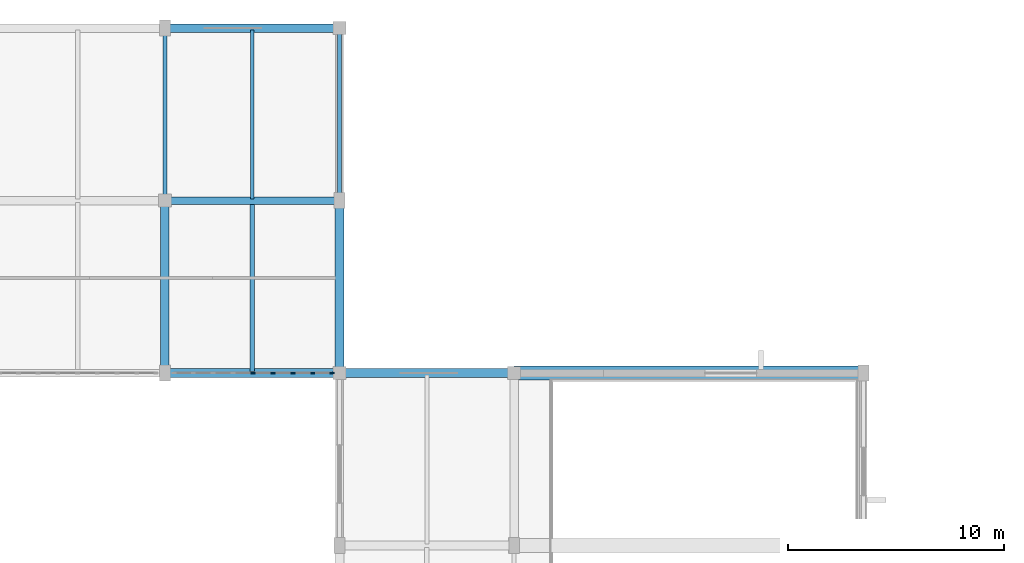
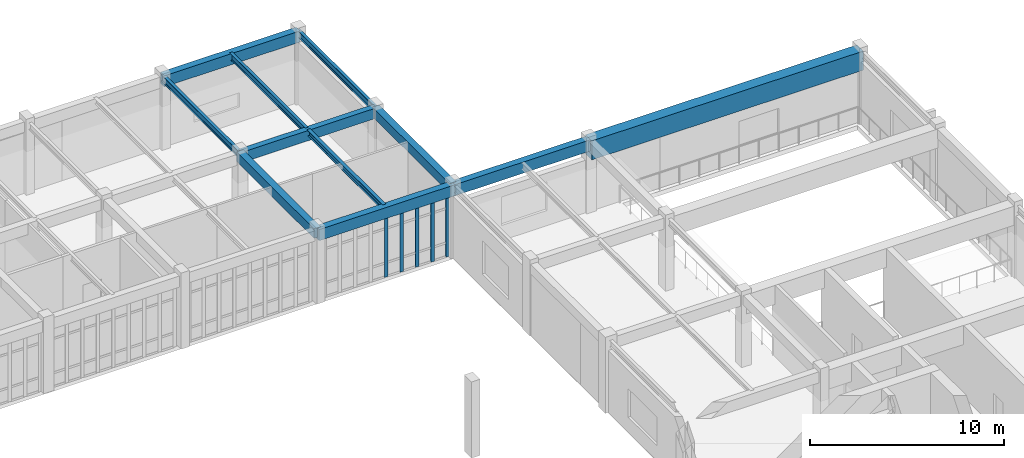
# One storey, part 17 of 61: 11 beams, 5 members, 1 element without a shape of its own.
"""IFC4 building model written with IfcOpenShell, lengths in metres."""

from ifc_helpers import new_model, si_unit, direction, frame, origin, origin_2d, place, context, subcontext, project, spatial, rectangle, i_section, extrude, material, material_profile, profile_set, type_object, element, aggregate, save


model = new_model("IFC4")

# Units and contexts
model_context = context("Model", 3, precision=1e-05, world=origin(), true_north=direction((0.0, 1.0)))
body_context = subcontext(model_context, "Body", "Model", "MODEL_VIEW")
ifc_project = project(units=[si_unit("LENGTHUNIT", "METRE"), si_unit("AREAUNIT", "SQUARE_METRE"), si_unit("VOLUMEUNIT", "CUBIC_METRE"), si_unit("PLANEANGLEUNIT", "RADIAN"), si_unit("MASSUNIT", "GRAM", prefix="KILO")], contexts=[model_context])

# Site, building, storey
site_placement = place(None, origin())
site = spatial("IfcSite", under=ifc_project, at=site_placement, CompositionType="ELEMENT")
building_placement = place(site_placement, origin())
building = spatial("IfcBuilding", under=site, at=building_placement, Name="Tarnveldt Square Police Headquarters", CompositionType="ELEMENT")
storey_placement = place(building_placement, frame((0.0, 0.0, 5.39990234375)))
storey = spatial("IfcBuildingStorey", under=building, at=storey_placement, Name="L01", CompositionType="ELEMENT", Elevation=5.39990234375)

# Beams
ifc_material_1 = material(Name="Concrete 40 MPa", Category="concrete")
ifc_material_profile_1 = material_profile(ifc_material_1, rectangle(XDim=0.39990234375, YDim=0.60009765625, at=origin_2d()), Name="RC-B400x600")
ifc_profile_set_1 = profile_set([ifc_material_profile_1], Name="Concrete 40 MPa")
beam_type_1 = type_object("IfcBeamType", Name="BM-RC400x600", PredefinedType="BEAM", material=ifc_profile_set_1)
for number, where, z_axis, x_axis, name in (
    (1, (97.199951171875, 96.0, 4.22021484375), (0.0, 1.0, 0.0), (-1.0, 0.0, 0.0), "L02 Grid Girder Y-0637"),
    (2, (105.300048828125, 96.0, 4.22021484375), (0.0, 1.0, 0.0), (-1.0, 0.0, 0.0), "L02 Grid Girder Y-0643"),
):
    element("IfcBeam", number, at=place(storey_placement, frame(where, z_axis=z_axis, x_axis=x_axis)), inside=storey, type_object=beam_type_1, Name=name, PredefinedType="BEAM", context=body_context, shape_type="SweptSolid", body=[
        extrude(rectangle(XDim=0.39990234375, YDim=0.60009765625, at=origin_2d()), origin(), (0.0, 0.0, 1.0), 8.0),
    ])
ifc_material_profile_2 = material_profile(ifc_material_1, rectangle(XDim=0.39990234375, YDim=0.699951171875, at=origin_2d()), Name="RC-B400x700")
ifc_profile_set_2 = profile_set([ifc_material_profile_2], Name="Concrete 40 MPa")
beam_type_2 = type_object("IfcBeamType", Name="BM-RC400x700", PredefinedType="BEAM", material=ifc_profile_set_2)
beam_1_placement = place(storey_placement, frame((97.199951171875, 96.0, 4.170166015625), z_axis=(1.0, 0.0, 0.0), x_axis=(0.0, 1.0, 0.0)))
element("IfcBeam", 3, at=beam_1_placement, inside=storey, type_object=beam_type_2, Name="L02 Grid Girder X-0545", PredefinedType="BEAM", context=body_context, shape_type="SweptSolid", body=[
    extrude(rectangle(XDim=0.39990234375, YDim=0.699951171875, at=origin_2d()), origin(), (0.0, 0.0, 1.0), 8.10009765625),
])
beam_2_placement = place(storey_placement, frame((105.300048828125, 96.0, 4.170166015625), z_axis=(1.0, 0.0, 0.0), x_axis=(0.0, 1.0, 0.0)))
element("IfcBeam", 4, at=beam_2_placement, inside=storey, type_object=beam_type_2, Name="L02 Grid Girder X-0546", PredefinedType="BEAM", context=body_context, shape_type="SweptSolid", body=[
    extrude(rectangle(XDim=0.39990234375, YDim=0.699951171875, at=origin_2d()), origin(), (0.0, 0.0, 1.0), 8.099853515625),
])
beam_3_placement = place(storey_placement, frame((97.199951171875, 112.0, 4.170166015625), z_axis=(1.0, 0.0, 0.0), x_axis=(0.0, 1.0, 0.0)))
element("IfcBeam", 5, at=beam_3_placement, inside=storey, type_object=beam_type_2, Name="L02 Grid Girder X-0564", PredefinedType="BEAM", context=body_context, shape_type="SweptSolid", body=[
    extrude(rectangle(XDim=0.39990234375, YDim=0.699951171875, at=origin_2d()), origin(), (0.0, 0.0, 1.0), 8.10009765625),
])
ifc_material_2 = material(Name="Concrete 50 MPa", Category="concrete")
ifc_material_profile_3 = material_profile(ifc_material_2, rectangle(XDim=0.64990234375, YDim=1.199951171875, at=origin_2d()), Name="RC-B650x1200")
ifc_profile_set_3 = profile_set([ifc_material_profile_3], Name="Concrete 50 MPa")
beam_type_3 = type_object("IfcBeamType", Name="BM-RC650x1200", PredefinedType="BEAM", material=ifc_profile_set_3)
beam_4_placement = place(storey_placement, frame((113.39990234375, 96.0, 3.920166015625), z_axis=(1.0, 0.0, 0.0), x_axis=(0.0, 1.0, 0.0)))
element("IfcBeam", 6, at=beam_4_placement, inside=storey, type_object=beam_type_3, Name="L02 Grid Girder X-0547", PredefinedType="BEAM", context=body_context, shape_type="SweptSolid", body=[
    extrude(rectangle(XDim=0.64990234375, YDim=1.199951171875, at=origin_2d()), origin(), (0.0, 0.0, 1.0), 16.2001953125),
])
ifc_material_profile_4 = material_profile(ifc_material_1, rectangle(XDim=0.35009765625, YDim=0.64990234375, at=origin_2d()), Name="RC-SP350x650")
ifc_profile_set_4 = profile_set([ifc_material_profile_4], Name="Concrete 40 MPa")
beam_type_4 = type_object("IfcBeamType", Name="BM-SP350x650", PredefinedType="SPANDREL", material=ifc_profile_set_4)
beam_5_placement = place(storey_placement, frame((97.199951171875, 104.0, 4.195068359375), z_axis=(1.0, 0.0, 0.0), x_axis=(0.0, 1.0, 0.0)))
element("IfcBeam", 7, at=beam_5_placement, inside=storey, type_object=beam_type_4, Name="L02 Grid Girder X-0553", PredefinedType="SPANDREL", context=body_context, shape_type="SweptSolid", body=[
    extrude(rectangle(XDim=0.35009765625, YDim=0.64990234375, at=origin_2d()), origin(), (0.0, 0.0, 1.0), 8.10009765625),
])
ifc_material_3 = material(Name="Steel 350W", Category="steel")
ifc_material_profile_5 = material_profile(ifc_material_3, i_section(OverallWidth=0.202880859375, OverallDepth=0.346923828125, WebThickness=0.0078125, FlangeThickness=0.013427734375, FilletRadius=0.01611328125, at=origin_2d()), Name="W360x64")
ifc_profile_set_5 = profile_set([ifc_material_profile_5], Name="Steel 350W")
beam_type_5 = type_object("IfcBeamType", Name="BM-W360x64", PredefinedType="JOIST", material=ifc_profile_set_5)
beam_6_placement = place(storey_placement, frame((101.25, 96.080078125, 4.3466796875), z_axis=(0.0, 1.0, 0.0), x_axis=(-1.0, 0.0, 0.0)))
element("IfcBeam", 8, at=beam_6_placement, inside=storey, type_object=beam_type_5, Name="L02 Secondary Floor Joist 0139", PredefinedType="JOIST", context=body_context, shape_type="SweptSolid", body=[
    extrude(i_section(OverallWidth=0.202880859375, OverallDepth=0.346923828125, WebThickness=0.0078125, FlangeThickness=0.013427734375, FilletRadius=0.01611328125, at=origin_2d()), origin(), (0.0, 0.0, 1.0), 7.83984375),
])
ifc_material_profile_6 = material_profile(ifc_material_3, i_section(OverallWidth=0.177978515625, OverallDepth=0.406982421875, WebThickness=0.0078125, FlangeThickness=0.0126953125, FilletRadius=0.01611328125, at=origin_2d()), Name="W410x60")
ifc_profile_set_6 = profile_set([ifc_material_profile_6], Name="Steel 350W")
beam_type_6 = type_object("IfcBeamType", Name="BM-W410x60", PredefinedType="JOIST", material=ifc_profile_set_6)
beam_7_placement = place(storey_placement, frame((101.25, 104.080078125, 4.316650390625), z_axis=(0.0, 1.0, 0.0), x_axis=(-1.0, 0.0, 0.0)))
element("IfcBeam", 9, at=beam_7_placement, inside=storey, type_object=beam_type_6, Name="L02 Secondary Floor Joist 0145", PredefinedType="JOIST", context=body_context, shape_type="SweptSolid", body=[
    extrude(i_section(OverallWidth=0.177978515625, OverallDepth=0.406982421875, WebThickness=0.0078125, FlangeThickness=0.0126953125, FilletRadius=0.01611328125, at=origin_2d()), origin(), (0.0, 0.0, 1.0), 7.83984375),
])
ifc_material_profile_7 = material_profile(ifc_material_3, i_section(OverallWidth=0.180908203125, OverallDepth=0.4169921875, WebThickness=0.010986328125, FlangeThickness=0.018310546875, FilletRadius=0.01611328125, at=origin_2d()), Name="W410x85")
ifc_profile_set_7 = profile_set([ifc_material_profile_7], Name="Steel 350W")
beam_type_7 = type_object("IfcBeamType", Name="BM-W410x85", PredefinedType="BEAM", material=ifc_profile_set_7)
for number, where, z_axis, x_axis, name in (
    (10, (97.199951171875, 104.0, 4.3115234375), (0.0, 1.0, 0.0), (-1.0, 0.0, 0.0), "L02 Grid Girder Y-0638"),
    (11, (105.300048828125, 104.0, 4.3115234375), (0.0, 1.0, 0.0), (-1.0, 0.0, 0.0), "L02 Grid Girder Y-0644"),
):
    element("IfcBeam", number, at=place(storey_placement, frame(where, z_axis=z_axis, x_axis=x_axis)), inside=storey, type_object=beam_type_7, Name=name, PredefinedType="BEAM", context=body_context, shape_type="SweptSolid", body=[
        extrude(i_section(OverallWidth=0.180908203125, OverallDepth=0.4169921875, WebThickness=0.010986328125, FlangeThickness=0.018310546875, FilletRadius=0.01611328125, at=origin_2d()), origin(), (0.0, 0.0, 1.0), 8.0),
    ])

# Curtain wall, members
ifc_material_4 = material(Name="Triple-glazed low-e laminated vision glass", Category="glass")
curtain_wall_type = type_object("IfcCurtainWallType", Name="CW-LB-739x381", PredefinedType="USERDEFINED", material=ifc_material_4)
curtain_wall_placement = place(storey_placement, origin())
curtain_wall = element("IfcCurtainWall", 12, at=curtain_wall_placement, inside=storey, type_object=curtain_wall_type, Name="L01 Curtain Wall CW-L01-111", ObjectType="GLAZED CURTAIN WALL", PredefinedType="USERDEFINED")
ifc_material_5 = material(Name="Thermally broken anodised aluminium 6063-T6", Category="aluminium")
ifc_material_profile_8 = material_profile(ifc_material_5, rectangle(XDim=0.074951171875, YDim=0.199951171875, at=origin_2d()), Name="CW-M75x200")
ifc_profile_set_8 = profile_set([ifc_material_profile_8], Name="Thermally broken anodised aluminium 6063-T6")
member_type = type_object("IfcMemberType", Name="CWM-75x200", PredefinedType="MULLION", material=ifc_profile_set_8)
member_1_placement = place(storey_placement, frame((101.28759765625, 96.0, 0.0), z_axis=(0.0, 0.0, 1.0), x_axis=(0.0, 1.0, 0.0)))
member_1 = element("IfcMember", 13, at=member_1_placement, type_object=member_type, Name="CW-LB63 mullion 5", PredefinedType="MULLION", context=body_context, shape_type="SweptSolid", body=[
    extrude(rectangle(XDim=0.074951171875, YDim=0.199951171875, at=origin_2d()), origin(), (0.0, 0.0, 1.0), 3.81201171875),
])
member_2_placement = place(storey_placement, frame((102.2119140625, 96.0, 0.0), z_axis=(0.0, 0.0, 1.0), x_axis=(0.0, 1.0, 0.0)))
member_2 = element("IfcMember", 14, at=member_2_placement, type_object=member_type, Name="CW-LB63 mullion 6", PredefinedType="MULLION", context=body_context, shape_type="SweptSolid", body=[
    extrude(rectangle(XDim=0.074951171875, YDim=0.199951171875, at=origin_2d()), origin(), (0.0, 0.0, 1.0), 3.81201171875),
])
member_3_placement = place(storey_placement, frame((103.13623046875, 96.0, 0.0), z_axis=(0.0, 0.0, 1.0), x_axis=(0.0, 1.0, 0.0)))
member_3 = element("IfcMember", 15, at=member_3_placement, type_object=member_type, Name="CW-LB63 mullion 7", PredefinedType="MULLION", context=body_context, shape_type="SweptSolid", body=[
    extrude(rectangle(XDim=0.074951171875, YDim=0.199951171875, at=origin_2d()), origin(), (0.0, 0.0, 1.0), 3.81201171875),
])
member_4_placement = place(storey_placement, frame((104.060546875, 96.0, 0.0), z_axis=(0.0, 0.0, 1.0), x_axis=(0.0, 1.0, 0.0)))
member_4 = element("IfcMember", 16, at=member_4_placement, type_object=member_type, Name="CW-LB63 mullion 8", PredefinedType="MULLION", context=body_context, shape_type="SweptSolid", body=[
    extrude(rectangle(XDim=0.074951171875, YDim=0.199951171875, at=origin_2d()), origin(), (0.0, 0.0, 1.0), 3.81201171875),
])
member_5_placement = place(storey_placement, frame((104.947509765625, 96.0, 0.0), z_axis=(0.0, 0.0, 1.0), x_axis=(0.0, 1.0, 0.0)))
member_5 = element("IfcMember", 17, at=member_5_placement, type_object=member_type, Name="CW-LB63 mullion 9", PredefinedType="MULLION", context=body_context, shape_type="SweptSolid", body=[
    extrude(rectangle(XDim=0.074951171875, YDim=0.199951171875, at=origin_2d()), origin(), (0.0, 0.0, 1.0), 3.81201171875),
])
aggregate(curtain_wall, [member_1, member_2, member_3, member_4, member_5])

save(model, "model.ifc")
